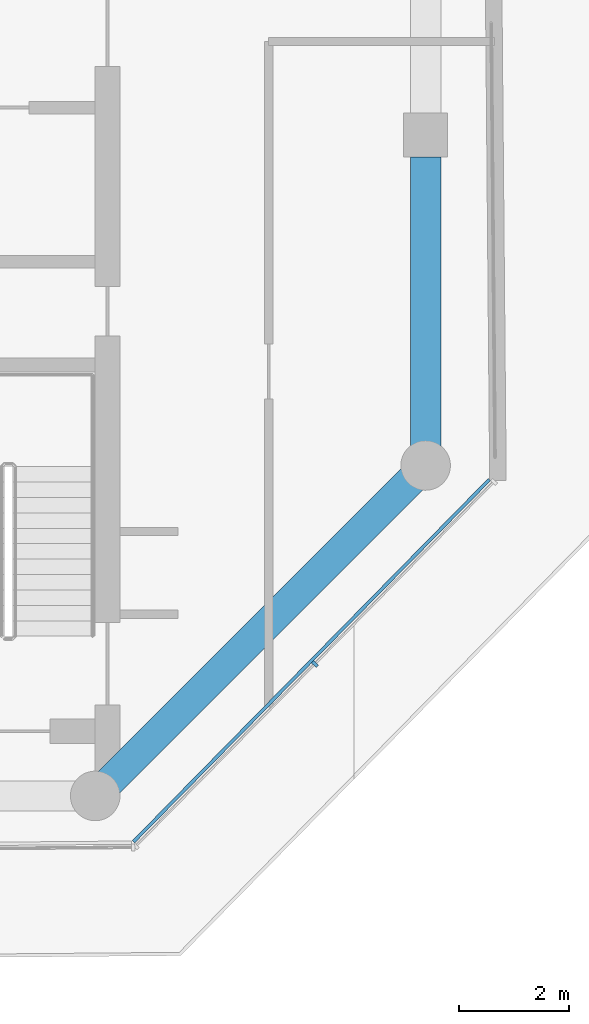
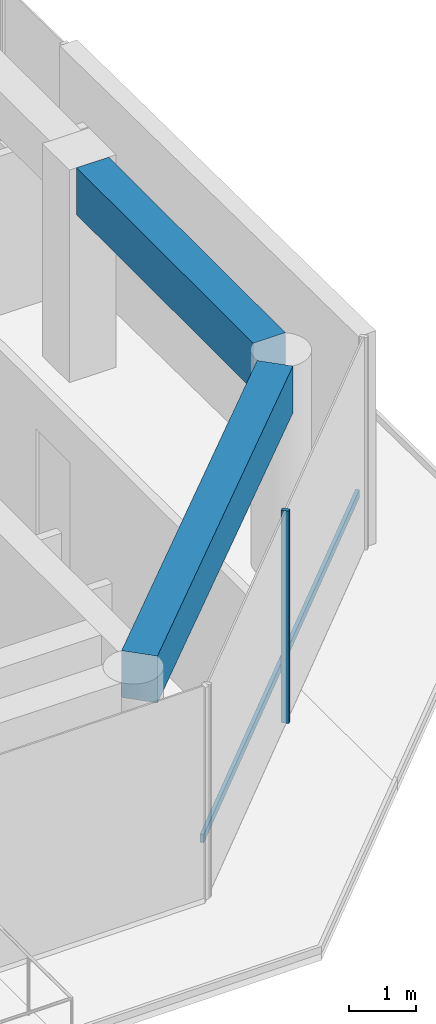
# One storey, part 3 of 19: 2 beams, 2 members, 1 element without a shape of its own.
"""IFC4 building model written with IfcOpenShell, lengths in metres."""

from ifc_helpers import new_model, si_unit, direction, frame, origin, origin_2d, place, context, subcontext, project, spatial, rectangle, extrude, material, layer, layer_set, material_profile, profile_set, type_object, element, aggregate, save


model = new_model("IFC4")

# Units and contexts
model_context = context("Model", 3, precision=1e-05, world=origin(), true_north=direction((0.0, 1.0)))
body_context = subcontext(model_context, "Body", "Model", "MODEL_VIEW")
ifc_project = project(units=[si_unit("LENGTHUNIT", "METRE"), si_unit("AREAUNIT", "SQUARE_METRE"), si_unit("VOLUMEUNIT", "CUBIC_METRE"), si_unit("PLANEANGLEUNIT", "RADIAN"), si_unit("MASSUNIT", "GRAM", prefix="KILO")], contexts=[model_context])

# Site, building, storey
site_placement = place(None, origin())
site = spatial("IfcSite", under=ifc_project, at=site_placement, CompositionType="ELEMENT")
building_placement = place(site_placement, origin())
building = spatial("IfcBuilding", under=site, at=building_placement, Name="Welwitschia Terrace Campus", CompositionType="ELEMENT")
storey_placement = place(building_placement, frame((0.0, 0.0, 226.39990234375)))
storey = spatial("IfcBuildingStorey", under=building, at=storey_placement, Name="L50", CompositionType="ELEMENT", Elevation=226.39990234375)

# Curtain wall, member
ifc_material_1 = material(Name="Bronze anodised aluminium", Category="aluminium")
ifc_layer = layer(ifc_material_1, 0.1201171875)
ifc_layer_set = layer_set([ifc_layer], Name="Bronze anodised aluminium")
curtain_wall_type = type_object("IfcCurtainWallType", Name="Curtain wall CW2 tower 6000", PredefinedType="NOTDEFINED", material=ifc_layer_set)
curtain_wall_placement = place(storey_placement, origin())
curtain_wall = element("IfcCurtainWall", 1, at=curtain_wall_placement, inside=storey, type_object=curtain_wall_type, Name="CW L50.5.0", PredefinedType="NOTDEFINED")
ifc_material_2 = material(Name="Bronze anodised aluminium", Category="aluminium")
ifc_material_profile_1 = material_profile(ifc_material_2, rectangle(XDim=0.1201171875, YDim=0.06005859375, at=origin_2d()))
ifc_profile_set_1 = profile_set([ifc_material_profile_1], Name="Bronze anodised aluminium")
member_type_1 = type_object("IfcMemberType", Name="Mullion 60x120", PredefinedType="MULLION", material=ifc_profile_set_1)
member_1_placement = place(storey_placement, frame((27.99072265625, 6.392822265625, 0.0), z_axis=(0.0, 0.0, 1.0), x_axis=(-0.713250449154, 0.7009092643, 0.0)))
member_1 = element("IfcMember", 2, at=member_1_placement, type_object=member_type_1, Name="Mullion L50.5.0.1", PredefinedType="MULLION", context=body_context, shape_type="SweptSolid", body=[
    extrude(rectangle(XDim=0.1201171875, YDim=0.06005859375, at=origin_2d()), origin(), (0.0, 0.0, 1.0), 3.85009765625),
])

# Beams
ifc_material_3 = material(Name="Concrete C50/60", Category="concrete")
ifc_material_profile_2 = material_profile(ifc_material_3, rectangle(XDim=0.550048828125, YDim=0.85009765625, at=origin_2d()))
ifc_profile_set_2 = profile_set([ifc_material_profile_2], Name="Concrete C50/60")
beam_type = type_object("IfcBeamType", Name="Ring spandrel 550x850", PredefinedType="SPANDREL", material=ifc_profile_set_2)
beam_1_placement = place(storey_placement, frame((24.25244140625, 4.25244140625, 3.425048828125), z_axis=(0.707106781187, 0.707106781187, 0.0), x_axis=(-0.707106781187, 0.707106781187, 0.0)))
element("IfcBeam", 3, at=beam_1_placement, inside=storey, type_object=beam_type, Name="Spandrel SP3", PredefinedType="SPANDREL", context=body_context, shape_type="SweptSolid", body=[
    extrude(rectangle(XDim=0.550048828125, YDim=0.85009765625, at=origin_2d()), origin(), (0.0, 0.0, 1.0), 7.771240234375),
])
beam_2_placement = place(storey_placement, frame((30.0, 10.35693359375, 3.425048828125), z_axis=(0.0, 1.0, 0.0), x_axis=(-1.0, 0.0, 0.0)))
element("IfcBeam", 4, at=beam_2_placement, inside=storey, type_object=beam_type, Name="Spandrel SP3", PredefinedType="SPANDREL", context=body_context, shape_type="SweptSolid", body=[
    extrude(rectangle(XDim=0.550048828125, YDim=0.85009765625, at=origin_2d()), origin(), (0.0, 0.0, 1.0), 5.24267578125),
])

# Member
ifc_material_4 = material(Name="Bronze anodised aluminium", Category="aluminium")
ifc_material_profile_3 = material_profile(ifc_material_4, rectangle(XDim=0.06005859375, YDim=0.14990234375, at=origin_2d()))
ifc_profile_set_3 = profile_set([ifc_material_profile_3], Name="Bronze anodised aluminium")
member_type_2 = type_object("IfcMemberType", Name="Transom 60x150", PredefinedType="USERDEFINED", material=ifc_profile_set_3)
member_2_placement = place(storey_placement, frame((24.69580078125, 3.16845703125, 1.0), z_axis=(0.700908994929, 0.713250713864, 0.0), x_axis=(-0.713250713864, 0.700908994929, 0.0)))
member_2 = element("IfcMember", 5, at=member_2_placement, type_object=member_type_2, Name="Transom L50.5.0", ObjectType="TRANSOM", PredefinedType="USERDEFINED", context=body_context, shape_type="SweptSolid", body=[
    extrude(rectangle(XDim=0.06005859375, YDim=0.14990234375, at=origin_2d()), origin(), (0.0, 0.0, 1.0), 9.21826171875),
])

aggregate(curtain_wall, [member_1, member_2])

save(model, "model.ifc")
